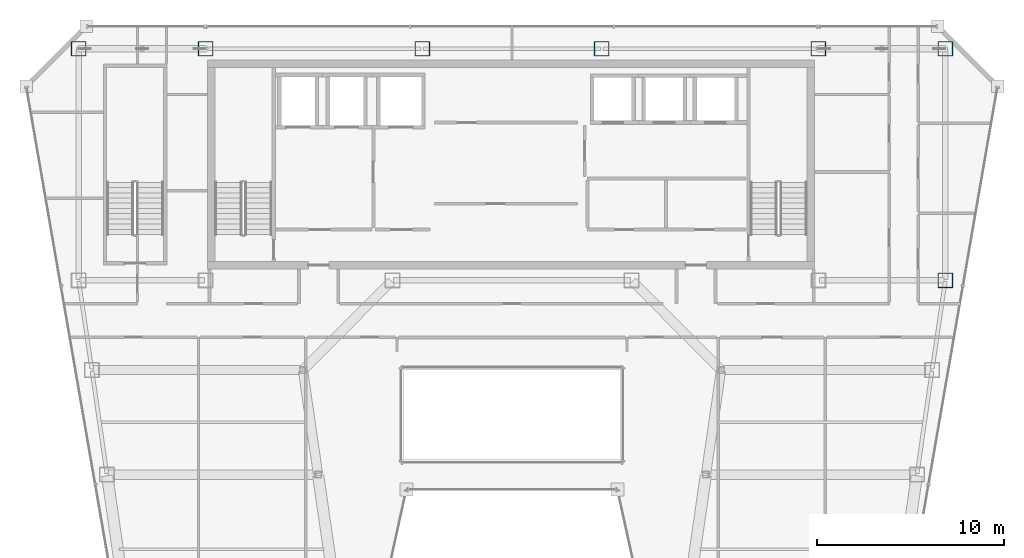
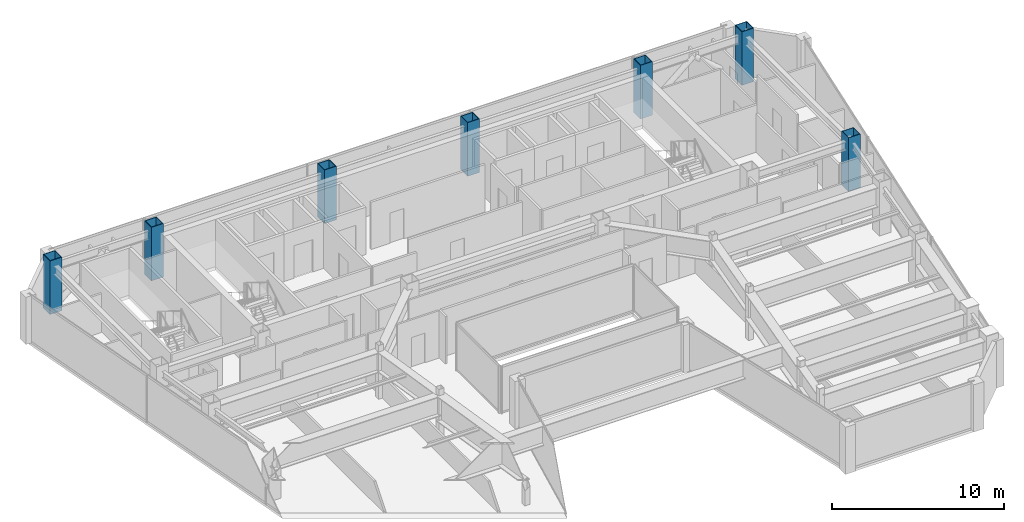
# One storey, part 2 of 35: 7 columns.
"""IFC4 building model written with IfcOpenShell, lengths in metres."""

from ifc_helpers import new_model, si_unit, direction, frame, origin, origin_2d, place, context, subcontext, project, spatial, hollow_rectangle, extrude, material, material_profile, profile_set, type_object, element, save


model = new_model("IFC4")

# Units and contexts
model_context = context("Model", 3, precision=1e-05, world=origin(), true_north=direction((0.0, 1.0)))
body_context = subcontext(model_context, "Body", "Model", "MODEL_VIEW")
ifc_project = project(units=[si_unit("LENGTHUNIT", "METRE"), si_unit("AREAUNIT", "SQUARE_METRE"), si_unit("VOLUMEUNIT", "CUBIC_METRE"), si_unit("PLANEANGLEUNIT", "RADIAN"), si_unit("MASSUNIT", "GRAM", prefix="KILO")], contexts=[model_context])

# Site, building, storey
site_placement = place(None, origin())
site = spatial("IfcSite", under=ifc_project, at=site_placement, CompositionType="ELEMENT")
building_placement = place(site_placement, origin())
building = spatial("IfcBuilding", under=site, at=building_placement, Name="Saevonmaru Cultural Tower", CompositionType="ELEMENT")
storey_placement = place(building_placement, frame((0.0, 0.0, 249.60009765625)))
storey = spatial("IfcBuildingStorey", under=building, at=storey_placement, Name="L58", CompositionType="ELEMENT", Elevation=249.60009765625)

# Columns
ifc_material = material(Name="Steel SM420", Category="steel")
ifc_material_profile = material_profile(ifc_material, hollow_rectangle(XDim=0.800048828125, YDim=0.800048828125, WallThickness=0.035888671875, at=origin_2d()), Name="BOX-800x800x36")
ifc_profile_set = profile_set([ifc_material_profile], Name="Steel SM420")
column_type = type_object("IfcColumnType", Name="COL-BOX-800", PredefinedType="COLUMN", material=ifc_profile_set)
for number, where, z_axis, x_axis, name in (
    (1, (6.800048828125, 54.800048828125, 0.0), (0.0, 0.0, 1.0), (1.0, 0.0, 0.0), "L58 Column TC-N1N"),
    (2, (13.60009765625, 54.800048828125, 0.0), (0.0, 0.0, 1.0), (1.0, 0.0, 0.0), "L58 Column TC-N2N"),
    (3, (25.199951171875, 54.800048828125, 0.0), (0.0, 0.0, 1.0), (1.0, 0.0, 0.0), "L58 Column TC-N3N"),
    (4, (34.800048828125, 54.800048828125, 0.0), (0.0, 0.0, 1.0), (1.0, 0.0, 0.0), "L58 Column TC-N4N"),
    (5, (46.39990234375, 54.800048828125, 0.0), (0.0, 0.0, 1.0), (1.0, 0.0, 0.0), "L58 Column TC-N5N"),
    (6, (53.199951171875, 54.800048828125, 0.0), (0.0, 0.0, 1.0), (1.0, 0.0, 0.0), "L58 Column TC-N6N"),
    (7, (53.199951171875, 42.39990234375, 0.0), (0.0, 0.0, 1.0), (1.0, 0.0, 0.0), "L58 Column TC-S6C"),
):
    element("IfcColumn", number, at=place(storey_placement, frame(where, z_axis=z_axis, x_axis=x_axis)), inside=storey, type_object=column_type, Name=name, PredefinedType="COLUMN", context=body_context, shape_type="SweptSolid", body=[
        extrude(hollow_rectangle(XDim=0.800048828125, YDim=0.800048828125, WallThickness=0.035888671875, at=origin_2d()), origin(), (0.0, 0.0, 1.0), 3.7998046875),
    ])

save(model, "model.ifc")
